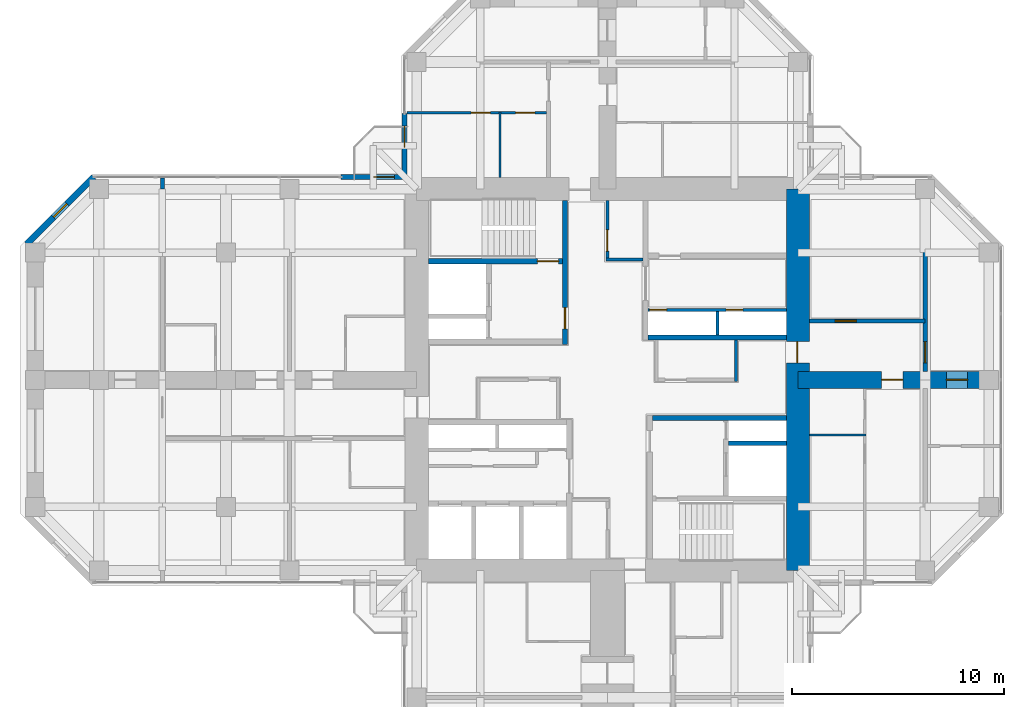
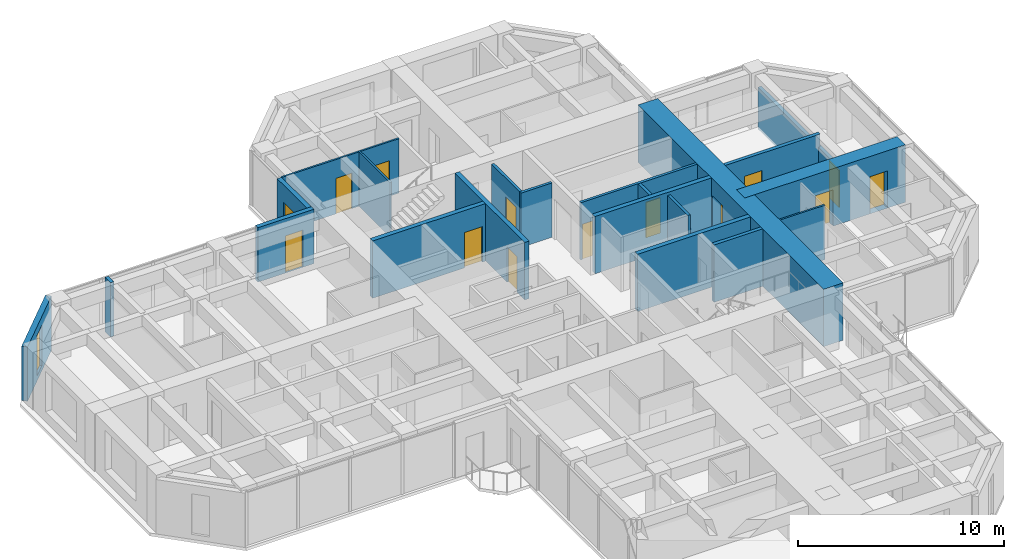
# One storey, part 11 of 14: 21 walls, 14 doors, 1 window, 15 openings.
"""IFC4 building model written with IfcOpenShell, lengths in metres."""

from ifc_helpers import new_model, si_unit, direction, frame, frame_2d, origin, place, context, subcontext, project, spatial, rectangle, hollow_rectangle, extrude, material, layer, layer_set, constituent, constituent_set, type_object, element, fill, save


model = new_model("IFC4")

# Units and contexts
model_context = context("Model", 3, precision=1e-05, world=origin(), true_north=direction((0.0, 1.0)))
body_context = subcontext(model_context, "Body", "Model", "MODEL_VIEW")
ifc_project = project(units=[si_unit("LENGTHUNIT", "METRE"), si_unit("AREAUNIT", "SQUARE_METRE"), si_unit("VOLUMEUNIT", "CUBIC_METRE"), si_unit("PLANEANGLEUNIT", "RADIAN"), si_unit("MASSUNIT", "GRAM", prefix="KILO")], contexts=[model_context])

# Site, building, storey
site_placement = place(None, origin())
site = spatial("IfcSite", under=ifc_project, at=site_placement, CompositionType="ELEMENT")
building_placement = place(site_placement, origin())
building = spatial("IfcBuilding", under=site, at=building_placement, Name="Torre Cruceta", CompositionType="ELEMENT")
storey_placement = place(building_placement, frame((0.0, 0.0, 210.300048828125)))
storey = spatial("IfcBuildingStorey", under=building, at=storey_placement, Name="L53", CompositionType="ELEMENT", Elevation=210.300048828125)

# Wall
ifc_material_1 = material(Name="Water-resistant plasterboard on steel studs", Category="steel")
ifc_layer_1 = layer(ifc_material_1, 0.10009765625)
ifc_layer_set_1 = layer_set([ifc_layer_1], Name="Water-resistant plasterboard on steel studs")
wall_type_1 = type_object("IfcWallType", Name="BATHROOM WALL 100", PredefinedType="PARTITIONING", material=ifc_layer_set_1)
wall_1_placement = place(storey_placement, frame((-5.074951171875, 9.550048828125, 0.0), z_axis=(0.0, 0.0, 1.0), x_axis=(0.0, 1.0, 0.0)))
element("IfcWall", 1, at=wall_1_placement, inside=storey, type_object=wall_type_1, Name="PT4 L53-N-U1LBB", PredefinedType="PARTITIONING", context=body_context, shape_type="SweptSolid", body=[
    extrude(rectangle(XDim=3.099853515625, YDim=0.10009765625, at=frame_2d((1.5498046875, 0.0))), origin(), (0.0, 0.0, 1.0), 3.219970703125),
])

# Wall, openings, doors
wall_2_placement = place(storey_placement, frame((-2.875, 12.60009765625, 0.0), z_axis=(0.0, 0.0, 1.0), x_axis=(-1.0, 0.0, 0.0)))
wall_2 = element("IfcWall", 2, at=wall_2_placement, inside=storey, type_object=wall_type_1, Name="PT4 L53-N-U1LBS", PredefinedType="PARTITIONING", context=body_context, shape_type="SweptSolid", body=[
    extrude(rectangle(XDim=6.570068359375, YDim=0.10009765625, at=frame_2d((3.28515625, 0.0))), origin(), (0.0, 0.0, 1.0), 3.219970703125),
])
opening_1_placement = place(wall_2_placement, frame((0.550048828125, 0.0, 0.0)))
opening_1 = element("IfcOpeningElement", 3, at=opening_1_placement, cuts=wall_2, Name="Opening D7", PredefinedType="OPENING", context=body_context, shape_type="SweptSolid", body=[
    extrude(rectangle(XDim=0.89990234375, YDim=2.10009765625, at=frame_2d((0.449951171875, 1.050048828125))), frame((0.0, 0.06005859375, 0.0), z_axis=(0.0, -1.0, 0.0), x_axis=(1.0, 0.0, 0.0)), (0.0, 0.0, 1.0), 0.1201171875),
])
opening_2_placement = place(wall_2_placement, frame((2.64990234375, 0.0, 0.0)))
opening_2 = element("IfcOpeningElement", 4, at=opening_2_placement, cuts=wall_2, Name="Opening D7", PredefinedType="OPENING", context=body_context, shape_type="SweptSolid", body=[
    extrude(rectangle(XDim=0.89990234375, YDim=2.10009765625, at=frame_2d((0.449951171875, 1.050048828125))), frame((0.0, 0.06005859375, 0.0), z_axis=(0.0, -1.0, 0.0), x_axis=(1.0, 0.0, 0.0)), (0.0, 0.0, 1.0), 0.1201171875),
])
ifc_material_2 = material(Name="Timber door", Category="wood")
door_type_1 = type_object("IfcDoorType", Name="BATHROOM DOOR 900X2100", OperationType="SINGLE_SWING_LEFT", PredefinedType="DOOR", material=ifc_material_2)
door_1_placement = place(opening_1_placement, origin())
door_1 = element("IfcDoor", 5, at=door_1_placement, inside=storey, type_object=door_type_1, Name="D7 L53-N-U1LBS-D1", OperationType="SINGLE_SWING_LEFT", OverallHeight=2.10009765625, OverallWidth=0.89990234375, PredefinedType="DOOR", context=body_context, shape_type="SweptSolid", body=[
    extrude(rectangle(XDim=0.89990234375, YDim=2.10009765625, at=frame_2d((0.449951171875, 1.050048828125))), frame((0.0, 0.02490234375, 0.0), z_axis=(0.0, -1.0, 0.0), x_axis=(1.0, 0.0, 0.0)), (0.0, 0.0, 1.0), 0.050048828125),
])
fill(opening_1, door_1)
door_2_placement = place(opening_2_placement, origin())
door_2 = element("IfcDoor", 6, at=door_2_placement, inside=storey, type_object=door_type_1, Name="D7 L53-N-U1LBS-D2", OperationType="SINGLE_SWING_LEFT", OverallHeight=2.10009765625, OverallWidth=0.89990234375, PredefinedType="DOOR", context=body_context, shape_type="SweptSolid", body=[
    extrude(rectangle(XDim=0.89990234375, YDim=2.10009765625, at=frame_2d((0.449951171875, 1.050048828125))), frame((0.0, 0.02490234375, 0.0), z_axis=(0.0, -1.0, 0.0), x_axis=(1.0, 0.0, 0.0)), (0.0, 0.0, 1.0), 0.050048828125),
])
fill(opening_2, door_2)

# Walls
wall_3_placement = place(storey_placement, frame((9.550048828125, -2.60009765625, 0.0), z_axis=(0.0, 0.0, 1.0), x_axis=(1.0, 0.0, 0.0)))
element("IfcWall", 7, at=wall_3_placement, inside=storey, type_object=wall_type_1, Name="PT4 L53-E-U1RBB", PredefinedType="PARTITIONING", context=body_context, shape_type="SweptSolid", body=[
    extrude(rectangle(XDim=2.64990234375, YDim=0.10009765625, at=frame_2d((1.324951171875, 0.0))), origin(), (0.0, 0.0, 1.0), 3.219970703125),
])
ifc_material_3 = material(Name="Concrete G60 (fck 60 MPa)", Category="concrete")
ifc_layer_2 = layer(ifc_material_3, 0.25)
ifc_layer_set_2 = layer_set([ifc_layer_2], Name="Concrete G60 (fck 60 MPa)")
wall_type_2 = type_object("IfcWallType", Name="CORE INNER WALL 250 G60", PredefinedType="SHEAR", material=ifc_layer_set_2)
wall_4_placement = place(storey_placement, frame((1.925048828125, 2.0, 0.0), z_axis=(0.0, 0.0, 1.0), x_axis=(1.0, 0.0, 0.0)))
element("IfcWall", 8, at=wall_4_placement, inside=storey, type_object=wall_type_2, Name="CW4 L53 NE-CV", PredefinedType="SHEAR", context=body_context, shape_type="SweptSolid", body=[
    extrude(rectangle(XDim=6.52490234375, YDim=0.25, at=frame_2d((3.262451171875, 0.0))), origin(), (0.0, 0.0, 1.0), 3.39990234375),
])

# Wall, opening, door
wall_5_placement = place(storey_placement, frame((-2.0, 1.675048828125, 0.0), z_axis=(0.0, 0.0, 1.0), x_axis=(0.0, 1.0, 0.0)))
wall_5 = element("IfcWall", 9, at=wall_5_placement, inside=storey, type_object=wall_type_2, Name="CW4 L53 NW-CU", PredefinedType="SHEAR", context=body_context, shape_type="SweptSolid", body=[
    extrude(rectangle(XDim=6.77490234375, YDim=0.25, at=frame_2d((3.387451171875, 0.0))), origin(), (0.0, 0.0, 1.0), 3.39990234375),
])
opening_3_placement = place(wall_5_placement, frame((0.72509765625, 0.0, 0.0)))
opening_3 = element("IfcOpeningElement", 10, at=opening_3_placement, cuts=wall_5, Name="Opening D3", PredefinedType="OPENING", context=body_context, shape_type="SweptSolid", body=[
    extrude(rectangle(XDim=1.0, YDim=2.10009765625, at=frame_2d((0.5, 1.050048828125))), frame((0.0, 0.135009765625, 0.0), z_axis=(0.0, -1.0, 0.0), x_axis=(1.0, 0.0, 0.0)), (0.0, 0.0, 1.0), 0.27001953125),
])
ifc_material_4 = material(Name="Steel DX51D", Category="steel")
ifc_constituent_1 = constituent(ifc_material_4, Name="Leaf and frame")
ifc_material_5 = material(Name="Polyester powder coating", Category="paint")
ifc_constituent_2 = constituent(ifc_material_5, Name="Finish")
ifc_constituent_set_1 = constituent_set(constituents=[ifc_constituent_1, ifc_constituent_2], Name="Steel fire door")
door_type_2 = type_object("IfcDoorType", Name="FIRE DOOR 1000X2100", OperationType="SINGLE_SWING_LEFT", PredefinedType="DOOR", material=ifc_constituent_set_1)
door_3_placement = place(opening_3_placement, origin())
door_3 = element("IfcDoor", 11, at=door_3_placement, inside=storey, type_object=door_type_2, Name="D3 L53 NW-LOBBY", OperationType="SINGLE_SWING_LEFT", OverallHeight=2.10009765625, OverallWidth=1.0, PredefinedType="DOOR", context=body_context, shape_type="SweptSolid", body=[
    extrude(rectangle(XDim=1.0, YDim=2.10009765625, at=frame_2d((0.5, 1.050048828125))), frame((0.0, 0.02490234375, 0.0), z_axis=(0.0, -1.0, 0.0), x_axis=(1.0, 0.0, 0.0)), (0.0, 0.0, 1.0), 0.050048828125),
])
fill(opening_3, door_3)

wall_6_placement = place(storey_placement, frame((-2.125, 5.60009765625, 0.0), z_axis=(0.0, 0.0, 1.0), x_axis=(-1.0, 0.0, 0.0)))
wall_6 = element("IfcWall", 12, at=wall_6_placement, inside=storey, type_object=wall_type_2, Name="CW4 L53 NW-SV", PredefinedType="SHEAR", context=body_context, shape_type="SweptSolid", body=[
    extrude(rectangle(XDim=6.324951171875, YDim=0.25, at=frame_2d((3.16259765625, 0.0))), origin(), (0.0, 0.0, 1.0), 3.39990234375),
])
opening_4_placement = place(wall_6_placement, frame((0.175048828125, 0.0, 0.0)))
opening_4 = element("IfcOpeningElement", 13, at=opening_4_placement, cuts=wall_6, Name="Opening D3", PredefinedType="OPENING", context=body_context, shape_type="SweptSolid", body=[
    extrude(rectangle(XDim=1.0, YDim=2.10009765625, at=frame_2d((0.5, 1.050048828125))), frame((0.0, 0.135009765625, 0.0), z_axis=(0.0, -1.0, 0.0), x_axis=(1.0, 0.0, 0.0)), (0.0, 0.0, 1.0), 0.27001953125),
])
door_4_placement = place(opening_4_placement, frame((1.0, 0.0, 0.0), z_axis=(0.0, 0.0, 1.0), x_axis=(-1.0, 0.0, 0.0)))
door_4 = element("IfcDoor", 14, at=door_4_placement, inside=storey, type_object=door_type_2, Name="D3 L53 NW-STAIR", OperationType="SINGLE_SWING_RIGHT", OverallHeight=2.10009765625, OverallWidth=1.0, PredefinedType="DOOR", context=body_context, shape_type="SweptSolid", body=[
    extrude(rectangle(XDim=1.0, YDim=2.10009765625, at=frame_2d((0.5, 1.050048828125))), frame((0.0, 0.025146484375, 0.0), z_axis=(0.0, -1.0, 0.0), x_axis=(1.0, 0.0, 0.0)), (0.0, 0.0, 1.0), 0.050048828125),
])
fill(opening_4, door_4)

# Wall
wall_7_placement = place(storey_placement, frame((2.125, -1.800048828125, 0.0), z_axis=(0.0, 0.0, 1.0), x_axis=(1.0, 0.0, 0.0)))
element("IfcWall", 15, at=wall_7_placement, inside=storey, type_object=wall_type_2, Name="CW4 L53 SE-CV", PredefinedType="SHEAR", context=body_context, shape_type="SweptSolid", body=[
    extrude(rectangle(XDim=6.324951171875, YDim=0.25, at=frame_2d((3.16259765625, 0.0))), origin(), (0.0, 0.0, 1.0), 3.39990234375),
])

# Wall, opening, door
ifc_material_6 = material(Name="Concrete G60 (fck 60 MPa)", Category="concrete")
ifc_layer_3 = layer(ifc_material_6, 1.10009765625)
ifc_layer_set_3 = layer_set([ifc_layer_3], Name="Concrete G60 (fck 60 MPa)")
wall_type_3 = type_object("IfcWallType", Name="CORE WALL 1100 G60", PredefinedType="SHEAR", material=ifc_layer_set_3)
wall_8_placement = place(storey_placement, frame((9.0, -9.0, 0.0), z_axis=(0.0, 0.0, 1.0), x_axis=(0.0, 1.0, 0.0)))
wall_8 = element("IfcWall", 16, at=wall_8_placement, inside=storey, type_object=wall_type_3, Name="CW2 L53 CW-E", PredefinedType="SHEAR", context=body_context, shape_type="SweptSolid", body=[
    extrude(rectangle(XDim=18.0, YDim=1.10009765625, at=frame_2d((9.0, 0.0))), origin(), (0.0, 0.0, 1.0), 3.39990234375),
])
opening_5_placement = place(wall_8_placement, frame((9.800048828125, 0.0, 0.0)))
opening_5 = element("IfcOpeningElement", 17, at=opening_5_placement, cuts=wall_8, Name="Opening D4", PredefinedType="OPENING", context=body_context, shape_type="SweptSolid", body=[
    extrude(rectangle(XDim=1.0, YDim=2.39990234375, at=frame_2d((0.5, 1.199951171875))), frame((0.0, 0.56005859375, 0.0), z_axis=(0.0, -1.0, 0.0), x_axis=(1.0, 0.0, 0.0)), (0.0, 0.0, 1.0), 1.1201171875),
])
ifc_material_7 = material(Name="Steel DX51D", Category="steel")
ifc_constituent_3 = constituent(ifc_material_7, Name="Leaf and frame")
ifc_material_8 = material(Name="Polyester powder coating", Category="paint")
ifc_constituent_4 = constituent(ifc_material_8, Name="Finish")
ifc_constituent_set_2 = constituent_set(constituents=[ifc_constituent_3, ifc_constituent_4], Name="Steel fire door")
door_type_3 = type_object("IfcDoorType", Name="CORE ARM DOOR 1000X2400", OperationType="SINGLE_SWING_RIGHT", PredefinedType="DOOR", material=ifc_constituent_set_2)
door_5_placement = place(opening_5_placement, origin())
door_5 = element("IfcDoor", 18, at=door_5_placement, inside=storey, type_object=door_type_3, Name="D4 L53 CW-E", OperationType="SINGLE_SWING_RIGHT", OverallHeight=2.39990234375, OverallWidth=1.0, PredefinedType="DOOR", context=body_context, shape_type="SweptSolid", body=[
    extrude(rectangle(XDim=1.0, YDim=2.39990234375, at=frame_2d((0.5, 1.199951171875))), frame((0.0, 0.05517578125, 0.0), z_axis=(0.0, -1.0, 0.0), x_axis=(1.0, 0.0, 0.0)), (0.0, 0.0, 1.0), 0.050048828125),
])
fill(opening_5, door_5)

ifc_material_9 = material(Name="Concrete G25 (fck 25 MPa)", Category="concrete")
ifc_layer_4 = layer(ifc_material_9, 0.199951171875)
ifc_layer_set_4 = layer_set([ifc_layer_4], Name="Concrete G25 (fck 25 MPa)")
wall_type_4 = type_object("IfcWallType", Name="CORRIDOR WALL 200", PredefinedType="SOLIDWALL", material=ifc_layer_set_4)
wall_9_placement = place(storey_placement, frame((9.550048828125, 2.77490234375, 0.0), z_axis=(0.0, 0.0, 1.0), x_axis=(1.0, 0.0, 0.0)))
wall_9 = element("IfcWall", 19, at=wall_9_placement, inside=storey, type_object=wall_type_4, Name="PT3 L53-E-CL", PredefinedType="SOLIDWALL", context=body_context, shape_type="SweptSolid", body=[
    extrude(rectangle(XDim=5.449951171875, YDim=0.199951171875, at=frame_2d((2.72509765625, 0.0))), origin(), (0.0, 0.0, 1.0), 3.219970703125),
])
opening_6_placement = place(wall_9_placement, frame((1.199951171875, 0.0, 0.0)))
opening_6 = element("IfcOpeningElement", 20, at=opening_6_placement, cuts=wall_9, Name="Opening D14", PredefinedType="OPENING", context=body_context, shape_type="SweptSolid", body=[
    extrude(rectangle(XDim=1.0, YDim=2.199951171875, at=frame_2d((0.5, 1.10009765625))), frame((0.0, 0.10986328125, 0.0), z_axis=(0.0, -1.0, 0.0), x_axis=(1.0, 0.0, 0.0)), (0.0, 0.0, 1.0), 0.219970703125),
])
ifc_material_10 = material(Name="Steel DX51D", Category="steel")
ifc_constituent_5 = constituent(ifc_material_10, Name="Leaf and frame")
ifc_material_11 = material(Name="Polyester powder coating", Category="paint")
ifc_constituent_6 = constituent(ifc_material_11, Name="Finish")
ifc_material_12 = material(Name="Fire-resisting glass", Category="glass")
ifc_constituent_7 = constituent(ifc_material_12, Name="Vision panel")
ifc_constituent_set_3 = constituent_set(constituents=[ifc_constituent_5, ifc_constituent_6, ifc_constituent_7], Name="Steel fire door with vision panel")
door_type_4 = type_object("IfcDoorType", Name="FIRE DOOR VISION PANEL 1000X2200", OperationType="SINGLE_SWING_RIGHT", PredefinedType="DOOR", material=ifc_constituent_set_3)
door_6_placement = place(opening_6_placement, origin())
door_6 = element("IfcDoor", 21, at=door_6_placement, inside=storey, type_object=door_type_4, Name="D14 L53-E-CL-D1", OperationType="SINGLE_SWING_LEFT", OverallHeight=2.199951171875, OverallWidth=1.0, PredefinedType="DOOR", context=body_context, shape_type="SweptSolid", body=[
    extrude(rectangle(XDim=1.0, YDim=2.199951171875, at=frame_2d((0.5, 1.10009765625))), frame((0.0, 0.02490234375, 0.0), z_axis=(0.0, -1.0, 0.0), x_axis=(1.0, 0.0, 0.0)), (0.0, 0.0, 1.0), 0.050048828125),
])
fill(opening_6, door_6)

# Wall, opening, window
ifc_material_13 = material(Name="Concrete G30 (fck 30 MPa)", Category="concrete")
ifc_layer_5 = layer(ifc_material_13, 0.300048828125)
ifc_layer_set_5 = layer_set([ifc_layer_5], Name="Concrete G30 (fck 30 MPa)")
wall_type_5 = type_object("IfcWallType", Name="EXPOSED CONCRETE FACADE WALL 300", PredefinedType="SOLIDWALL", material=ifc_layer_set_5)
wall_10_placement = place(storey_placement, frame((-24.236083984375, 9.570068359375, 0.0), z_axis=(0.0, 0.0, 1.0), x_axis=(-0.707079499254, -0.707134062067, 0.0)))
wall_10 = element("IfcWall", 22, at=wall_10_placement, inside=storey, type_object=wall_type_5, Name="EW1 facade wall L53 W chamfer 11", PredefinedType="SOLIDWALL", context=body_context, shape_type="SweptSolid", body=[
    extrude(rectangle(XDim=4.474609375, YDim=0.300048828125, at=frame_2d((2.2373046875, 0.0))), origin(), (0.0, 0.0, 1.0), 3.219970703125),
])
opening_7_placement = place(wall_10_placement, frame((1.787109375, 0.0, 0.300048828125)))
opening_7 = element("IfcOpeningElement", 23, at=opening_7_placement, cuts=wall_10, Name="Opening WN5", PredefinedType="OPENING", context=body_context, shape_type="SweptSolid", body=[
    extrude(rectangle(XDim=0.89990234375, YDim=2.39990234375, at=frame_2d((0.449951171875, 1.199951171875))), frame((0.0, 0.159912109375, 0.0), z_axis=(0.0, -1.0, 0.0), x_axis=(1.0, 0.0, 0.0)), (0.0, 0.0, 1.0), 0.320068359375),
])
ifc_material_14 = material(Name="Aluminium window frame", Category="aluminium")
ifc_constituent_8 = constituent(ifc_material_14, Name="Frame")
ifc_material_15 = material(Name="Laminated insulating glass unit, low-iron clear", Category="glass")
ifc_constituent_9 = constituent(ifc_material_15, Name="Glazing")
ifc_constituent_set_4 = constituent_set(constituents=[ifc_constituent_8, ifc_constituent_9], Name="Aluminium window")
window_type = type_object("IfcWindowType", Name="CHAMFER SLOT WINDOW 900X2400", PartitioningType="SINGLE_PANEL", PredefinedType="WINDOW", material=ifc_constituent_set_4)
window_placement = place(opening_7_placement, origin())
window = element("IfcWindow", 24, at=window_placement, inside=storey, type_object=window_type, Name="WN5 L53 W 1", OverallHeight=2.39990234375, OverallWidth=0.89990234375, PartitioningType="SINGLE_PANEL", PredefinedType="WINDOW", context=body_context, shape_type="SweptSolid", body=[
    extrude(hollow_rectangle(XDim=0.89990234375, YDim=2.39990234375, WallThickness=0.06005859375, at=frame_2d((0.449951171875, 1.199951171875))), frame((0.0, 0.030029296875, 0.0), z_axis=(0.0, -1.0, 0.0), x_axis=(1.0, 0.0, 0.0)), (0.0, 0.0, 1.0), 0.06005859375),
    extrude(rectangle(XDim=0.77880859375, YDim=2.27880859375, at=frame_2d((0.449951171875, 1.199951171875))), frame((0.0, 0.030029296875, 0.0), z_axis=(0.0, -1.0, 0.0), x_axis=(1.0, 0.0, 0.0)), (0.0, 0.0, 1.0), 0.06005859375),
])
fill(opening_7, window)

# Walls
ifc_material_16 = material(Name="Concrete G35 (fck 35 MPa)", Category="concrete")
ifc_layer_6 = layer(ifc_material_16, 0.199951171875)
ifc_layer_set_6 = layer_set([ifc_layer_6], Name="Concrete G35 (fck 35 MPa)")
wall_type_6 = type_object("IfcWallType", Name="LIFT SHAFT WALL 200", PredefinedType="PARTITIONING", material=ifc_layer_set_6)
wall_11_placement = place(storey_placement, frame((5.72509765625, -3.0, 0.0), z_axis=(0.0, 0.0, 1.0), x_axis=(1.0, 0.0, 0.0)))
element("IfcWall", 25, at=wall_11_placement, inside=storey, type_object=wall_type_6, Name="SW1 L53 SE-FR", PredefinedType="PARTITIONING", context=body_context, shape_type="SweptSolid", body=[
    extrude(rectangle(XDim=2.724853515625, YDim=0.199951171875, at=frame_2d((1.3623046875, 0.0))), origin(), (0.0, 0.0, 1.0), 3.39990234375),
])
ifc_material_17 = material(Name="Plasterboard on steel studs", Category="steel")
ifc_layer_7 = layer(ifc_material_17, 0.14990234375)
ifc_layer_set_7 = layer_set([ifc_layer_7], Name="Plasterboard on steel studs")
wall_type_7 = type_object("IfcWallType", Name="PARTITION 150", PredefinedType="PARTITIONING", material=ifc_layer_set_7)
wall_12_placement = place(storey_placement, frame((6.074951171875, -0.074951171875, 0.0), z_axis=(0.0, 0.0, 1.0), x_axis=(0.0, 1.0, 0.0)))
element("IfcWall", 26, at=wall_12_placement, inside=storey, type_object=wall_type_7, Name="PT1 L53-CORE-LEGE-N-W3", PredefinedType="PARTITIONING", context=body_context, shape_type="SweptSolid", body=[
    extrude(rectangle(XDim=1.949951171875, YDim=0.14990234375, at=frame_2d((0.97509765625, 0.0))), origin(), (0.0, 0.0, 1.0), 3.219970703125),
])

# Wall, opening, door
wall_13_placement = place(storey_placement, frame((0.0, 5.675048828125, 0.0), z_axis=(0.0, 0.0, 1.0), x_axis=(0.0, 1.0, 0.0)))
wall_13 = element("IfcWall", 27, at=wall_13_placement, inside=storey, type_object=wall_type_7, Name="PT1 L53-CORE-LEGN-E-W1", PredefinedType="PARTITIONING", context=body_context, shape_type="SweptSolid", body=[
    extrude(rectangle(XDim=2.77490234375, YDim=0.14990234375, at=frame_2d((1.387451171875, 0.0))), origin(), (0.0, 0.0, 1.0), 3.219970703125),
])
opening_8_placement = place(wall_13_placement, frame((0.39990234375, 0.0, 0.0)))
opening_8 = element("IfcOpeningElement", 28, at=opening_8_placement, cuts=wall_13, Name="Opening D3", PredefinedType="OPENING", context=body_context, shape_type="SweptSolid", body=[
    extrude(rectangle(XDim=1.0, YDim=2.10009765625, at=frame_2d((0.5, 1.050048828125))), frame((0.0, 0.0849609375, 0.0), z_axis=(0.0, -1.0, 0.0), x_axis=(1.0, 0.0, 0.0)), (0.0, 0.0, 1.0), 0.169921875),
])
door_7_placement = place(opening_8_placement, frame((1.0, 0.0, 0.0), z_axis=(0.0, 0.0, 1.0), x_axis=(-1.0, 0.0, 0.0)))
door_7 = element("IfcDoor", 29, at=door_7_placement, inside=storey, type_object=door_type_2, Name="D3 L53-CORE-LEGN-E-W1-D1", OperationType="SINGLE_SWING_RIGHT", OverallHeight=2.10009765625, OverallWidth=1.0, PredefinedType="DOOR", context=body_context, shape_type="SweptSolid", body=[
    extrude(rectangle(XDim=1.0, YDim=2.10009765625, at=frame_2d((0.5, 1.050048828125))), frame((0.0, 0.025146484375, 0.0), z_axis=(0.0, -1.0, 0.0), x_axis=(1.0, 0.0, 0.0)), (0.0, 0.0, 1.0), 0.050048828125),
])
fill(opening_8, door_7)

# Wall
wall_14_placement = place(storey_placement, frame((1.675048828125, 5.675048828125, 0.0), z_axis=(0.0, 0.0, 1.0), x_axis=(-1.0, 0.0, 0.0)))
element("IfcWall", 30, at=wall_14_placement, inside=storey, type_object=wall_type_7, Name="PT1 L53-CORE-LEGN-E-W2", PredefinedType="PARTITIONING", context=body_context, shape_type="SweptSolid", body=[
    extrude(rectangle(XDim=1.75, YDim=0.14990234375, at=frame_2d((0.875, 0.0))), origin(), (0.0, 0.0, 1.0), 3.219970703125),
])

# Wall, openings, doors
ifc_material_18 = material(Name="Concrete block masonry", Category="masonry")
ifc_layer_8 = layer(ifc_material_18, 0.14990234375)
ifc_layer_set_8 = layer_set([ifc_layer_8], Name="Concrete block masonry")
wall_type_8 = type_object("IfcWallType", Name="RISER WALL 150", PredefinedType="PARTITIONING", material=ifc_layer_set_8)
wall_15_placement = place(storey_placement, frame((1.925048828125, 3.300048828125, 0.0), z_axis=(0.0, 0.0, 1.0), x_axis=(1.0, 0.0, 0.0)))
wall_15 = element("IfcWall", 31, at=wall_15_placement, inside=storey, type_object=wall_type_8, Name="SW7 L53 NE-RV", PredefinedType="PARTITIONING", context=body_context, shape_type="SweptSolid", body=[
    extrude(rectangle(XDim=6.52490234375, YDim=0.14990234375, at=frame_2d((3.262451171875, 0.0))), origin(), (0.0, 0.0, 1.0), 3.39990234375),
])
opening_9_placement = place(wall_15_placement, frame((0.074951171875, 0.0, 0.0)))
opening_9 = element("IfcOpeningElement", 32, at=opening_9_placement, cuts=wall_15, Name="Opening D5", PredefinedType="OPENING", context=body_context, shape_type="SweptSolid", body=[
    extrude(rectangle(XDim=0.800048828125, YDim=2.10009765625, at=frame_2d((0.39990234375, 1.050048828125))), frame((0.0, 0.0849609375, 0.0), z_axis=(0.0, -1.0, 0.0), x_axis=(1.0, 0.0, 0.0)), (0.0, 0.0, 1.0), 0.169921875),
])
opening_10_placement = place(wall_15_placement, frame((3.675048828125, 0.0, 0.0)))
opening_10 = element("IfcOpeningElement", 33, at=opening_10_placement, cuts=wall_15, Name="Opening D5", PredefinedType="OPENING", context=body_context, shape_type="SweptSolid", body=[
    extrude(rectangle(XDim=0.800048828125, YDim=2.10009765625, at=frame_2d((0.39990234375, 1.050048828125))), frame((0.0, 0.0849609375, 0.0), z_axis=(0.0, -1.0, 0.0), x_axis=(1.0, 0.0, 0.0)), (0.0, 0.0, 1.0), 0.169921875),
])
ifc_material_19 = material(Name="Steel DX51D", Category="steel")
ifc_constituent_10 = constituent(ifc_material_19, Name="Leaf and frame")
ifc_material_20 = material(Name="Polyester powder coating", Category="paint")
ifc_constituent_11 = constituent(ifc_material_20, Name="Finish")
ifc_constituent_set_5 = constituent_set(constituents=[ifc_constituent_10, ifc_constituent_11], Name="Steel fire door")
door_type_5 = type_object("IfcDoorType", Name="RISER ACCESS DOOR 800X2100", OperationType="SINGLE_SWING_LEFT", PredefinedType="DOOR", material=ifc_constituent_set_5)
door_8_placement = place(opening_9_placement, frame((0.800048828125, 0.0, 0.0), z_axis=(0.0, 0.0, 1.0), x_axis=(-1.0, 0.0, 0.0)))
door_8 = element("IfcDoor", 34, at=door_8_placement, inside=storey, type_object=door_type_5, Name="D5 L53 NE-RISER1", OperationType="SINGLE_SWING_RIGHT", OverallHeight=2.10009765625, OverallWidth=0.800048828125, PredefinedType="DOOR", context=body_context, shape_type="SweptSolid", body=[
    extrude(rectangle(XDim=0.800048828125, YDim=2.10009765625, at=frame_2d((0.400146484375, 1.050048828125))), frame((0.0, 0.025146484375, 0.0), z_axis=(0.0, -1.0, 0.0), x_axis=(1.0, 0.0, 0.0)), (0.0, 0.0, 1.0), 0.050048828125),
])
fill(opening_9, door_8)
door_9_placement = place(opening_10_placement, frame((0.800048828125, 0.0, 0.0), z_axis=(0.0, 0.0, 1.0), x_axis=(-1.0, 0.0, 0.0)))
door_9 = element("IfcDoor", 35, at=door_9_placement, inside=storey, type_object=door_type_5, Name="D5 L53 NE-RISER2", OperationType="SINGLE_SWING_RIGHT", OverallHeight=2.10009765625, OverallWidth=0.800048828125, PredefinedType="DOOR", context=body_context, shape_type="SweptSolid", body=[
    extrude(rectangle(XDim=0.800048828125, YDim=2.10009765625, at=frame_2d((0.400146484375, 1.050048828125))), frame((0.0, 0.025146484375, 0.0), z_axis=(0.0, -1.0, 0.0), x_axis=(1.0, 0.0, 0.0)), (0.0, 0.0, 1.0), 0.050048828125),
])
fill(opening_10, door_9)

# Wall
wall_16_placement = place(storey_placement, frame((5.199951171875, 2.125, 0.0), z_axis=(0.0, 0.0, 1.0), x_axis=(0.0, 1.0, 0.0)))
element("IfcWall", 36, at=wall_16_placement, inside=storey, type_object=wall_type_8, Name="SW7 L53 NE-RU", PredefinedType="PARTITIONING", context=body_context, shape_type="SweptSolid", body=[
    extrude(rectangle(XDim=1.10009765625, YDim=0.14990234375, at=frame_2d((0.550048828125, 0.0))), origin(), (0.0, 0.0, 1.0), 3.39990234375),
])

# Wall, openings, doors
ifc_material_21 = material(Name="Concrete G60 (fck 60 MPa)", Category="concrete")
ifc_layer_9 = layer(ifc_material_21, 0.800048828125)
ifc_layer_set_9 = layer_set([ifc_layer_9], Name="Concrete G60 (fck 60 MPa)")
wall_type_9 = type_object("IfcWallType", Name="SPINE WALL 800 G60", PredefinedType="SHEAR", material=ifc_layer_set_9)
wall_17_placement = place(storey_placement, frame((9.0, 0.0, 0.0), z_axis=(0.0, 0.0, 1.0), x_axis=(1.0, 0.0, 0.0)))
wall_17 = element("IfcWall", 37, at=wall_17_placement, inside=storey, type_object=wall_type_9, Name="SW4 spine wall L53 E", PredefinedType="SHEAR", context=body_context, shape_type="SweptSolid", body=[
    extrude(rectangle(XDim=9.0, YDim=0.800048828125, at=frame_2d((4.5, 0.0))), origin(), (0.0, 0.0, 1.0), 3.39990234375),
])
opening_11_placement = place(wall_17_placement, frame((3.949951171875, 0.0, 0.0)))
opening_11 = element("IfcOpeningElement", 38, at=opening_11_placement, cuts=wall_17, Name="Opening D6", PredefinedType="OPENING", context=body_context, shape_type="SweptSolid", body=[
    extrude(rectangle(XDim=1.0, YDim=2.14990234375, at=frame_2d((0.5, 1.074951171875))), frame((0.0, 0.409912109375, 0.0), z_axis=(0.0, -1.0, 0.0), x_axis=(1.0, 0.0, 0.0)), (0.0, 0.0, 1.0), 0.820068359375),
])
opening_12_placement = place(wall_17_placement, frame((7.0, 0.0, 0.0)))
opening_12 = element("IfcOpeningElement", 39, at=opening_12_placement, cuts=wall_17, Name="Opening D14", PredefinedType="OPENING", context=body_context, shape_type="SweptSolid", body=[
    extrude(rectangle(XDim=1.0, YDim=2.199951171875, at=frame_2d((0.5, 1.10009765625))), frame((0.0, 0.409912109375, 0.0), z_axis=(0.0, -1.0, 0.0), x_axis=(1.0, 0.0, 0.0)), (0.0, 0.0, 1.0), 0.820068359375),
])
door_10_placement = place(opening_12_placement, frame((1.0, 0.0, 0.0), z_axis=(0.0, 0.0, 1.0), x_axis=(-1.0, 0.0, 0.0)))
door_10 = element("IfcDoor", 40, at=door_10_placement, inside=storey, type_object=door_type_4, Name="D14 L53-E-SP2", OperationType="SINGLE_SWING_RIGHT", OverallHeight=2.199951171875, OverallWidth=1.0, PredefinedType="DOOR", context=body_context, shape_type="SweptSolid", body=[
    extrude(rectangle(XDim=1.0, YDim=2.199951171875, at=frame_2d((0.5, 1.10009765625))), frame((0.0, 0.025146484375, 0.0), z_axis=(0.0, -1.0, 0.0), x_axis=(1.0, 0.0, 0.0)), (0.0, 0.0, 1.0), 0.050048828125),
])
fill(opening_12, door_10)
ifc_material_22 = material(Name="Timber fire door", Category="wood")
door_type_6 = type_object("IfcDoorType", Name="UNIT ENTRANCE DOOR 1000X2150", OperationType="SINGLE_SWING_LEFT", PredefinedType="DOOR", material=ifc_material_22)
door_11_placement = place(opening_11_placement, frame((1.0, 0.0, 0.0), z_axis=(0.0, 0.0, 1.0), x_axis=(-1.0, 0.0, 0.0)))
door_11 = element("IfcDoor", 41, at=door_11_placement, inside=storey, type_object=door_type_6, Name="D6 L53-E-SP1", OperationType="SINGLE_SWING_RIGHT", OverallHeight=2.14990234375, OverallWidth=1.0, PredefinedType="DOOR", context=body_context, shape_type="SweptSolid", body=[
    extrude(rectangle(XDim=1.0, YDim=2.14990234375, at=frame_2d((0.5, 1.074951171875))), frame((0.0, 0.025146484375, 0.0), z_axis=(0.0, -1.0, 0.0), x_axis=(1.0, 0.0, 0.0)), (0.0, 0.0, 1.0), 0.050048828125),
])
fill(opening_11, door_11)

# Wall, opening, door
ifc_material_23 = material(Name="Concrete G25 (fck 25 MPa)", Category="concrete")
ifc_layer_10 = layer(ifc_material_23, 0.199951171875)
ifc_layer_set_10 = layer_set([ifc_layer_10], Name="Concrete G25 (fck 25 MPa)")
wall_type_10 = type_object("IfcWallType", Name="UNIT SEPARATING WALL 200", PredefinedType="SOLIDWALL", material=ifc_layer_set_10)
wall_18_placement = place(storey_placement, frame((15.0, 0.39990234375, 0.0), z_axis=(0.0, 0.0, 1.0), x_axis=(0.0, 1.0, 0.0)))
wall_18 = element("IfcWall", 42, at=wall_18_placement, inside=storey, type_object=wall_type_10, Name="PT2 L53-E-ENDb", PredefinedType="SOLIDWALL", context=body_context, shape_type="SweptSolid", body=[
    extrude(rectangle(XDim=8.150146484375, YDim=0.199951171875, at=frame_2d((4.0751953125, 0.0))), origin(), (0.0, 0.0, 1.0), 2.469970703125),
])
opening_13_placement = place(wall_18_placement, frame((0.39990234375, 0.0, 0.0)))
opening_13 = element("IfcOpeningElement", 43, at=opening_13_placement, cuts=wall_18, Name="Opening D14", PredefinedType="OPENING", context=body_context, shape_type="SweptSolid", body=[
    extrude(rectangle(XDim=1.0, YDim=2.199951171875, at=frame_2d((0.5, 1.10009765625))), frame((0.0, 0.10986328125, 0.0), z_axis=(0.0, -1.0, 0.0), x_axis=(1.0, 0.0, 0.0)), (0.0, 0.0, 1.0), 0.219970703125),
])
door_12_placement = place(opening_13_placement, frame((1.0, 0.0, 0.0), z_axis=(0.0, 0.0, 1.0), x_axis=(-1.0, 0.0, 0.0)))
door_12 = element("IfcDoor", 44, at=door_12_placement, inside=storey, type_object=door_type_4, Name="D14 L53-E-ENDb-D1", OperationType="SINGLE_SWING_RIGHT", OverallHeight=2.199951171875, OverallWidth=1.0, PredefinedType="DOOR", context=body_context, shape_type="SweptSolid", body=[
    extrude(rectangle(XDim=1.0, YDim=2.199951171875, at=frame_2d((0.5, 1.10009765625))), frame((0.0, 0.025146484375, 0.0), z_axis=(0.0, -1.0, 0.0), x_axis=(1.0, 0.0, 0.0)), (0.0, 0.0, 1.0), 0.050048828125),
])
fill(opening_13, door_12)

# Wall
wall_19_placement = place(storey_placement, frame((-21.0, 9.530029296875, 0.0), z_axis=(0.0, 0.0, 1.0), x_axis=(0.0, -1.0, 0.0)))
element("IfcWall", 45, at=wall_19_placement, inside=storey, type_object=wall_type_10, Name="PT2 L53-W-ENDa", PredefinedType="SOLIDWALL", context=body_context, shape_type="SweptSolid", body=[
    extrude(rectangle(XDim=0.530029296875, YDim=0.199951171875, at=frame_2d((0.26513671875, 0.0))), origin(), (0.0, 0.0, 1.0), 3.219970703125),
])

# Wall, opening, door
ifc_material_24 = material(Name="Concrete G30 (fck 30 MPa)", Category="concrete")
ifc_layer_11 = layer(ifc_material_24, 0.25)
ifc_layer_set_11 = layer_set([ifc_layer_11], Name="Concrete G30 (fck 30 MPa)")
wall_type_11 = type_object("IfcWallType", Name="WINTER GARDEN WALL 250", PredefinedType="SOLIDWALL", material=ifc_layer_set_11)
wall_20_placement = place(storey_placement, frame((-9.570068359375, 12.570068359375, 0.0), z_axis=(0.0, 0.0, 1.0), x_axis=(0.0, -1.0, 0.0)))
wall_20 = element("IfcWall", 46, at=wall_20_placement, inside=storey, type_object=wall_type_11, Name="EW2 winter garden wall L53 09", PredefinedType="SOLIDWALL", context=body_context, shape_type="SweptSolid", body=[
    extrude(rectangle(XDim=2.875, YDim=0.25, at=frame_2d((1.4375, 0.0))), origin(), (0.0, 0.0, 1.0), 3.219970703125),
])
opening_14_placement = place(wall_20_placement, frame((0.60009765625, 0.0, 0.0)))
opening_14 = element("IfcOpeningElement", 47, at=opening_14_placement, cuts=wall_20, Name="Opening D10", PredefinedType="OPENING", context=body_context, shape_type="SweptSolid", body=[
    extrude(rectangle(XDim=1.0, YDim=2.199951171875, at=frame_2d((0.5, 1.10009765625))), frame((0.0, 0.135009765625, 0.0), z_axis=(0.0, -1.0, 0.0), x_axis=(1.0, 0.0, 0.0)), (0.0, 0.0, 1.0), 0.27001953125),
])
ifc_material_25 = material(Name="Aluminium door frame", Category="aluminium")
ifc_constituent_12 = constituent(ifc_material_25, Name="Frame")
ifc_material_26 = material(Name="Laminated safety glass", Category="glass")
ifc_constituent_13 = constituent(ifc_material_26, Name="Glazing")
ifc_constituent_set_6 = constituent_set(constituents=[ifc_constituent_12, ifc_constituent_13], Name="Aluminium glazed door")
door_type_7 = type_object("IfcDoorType", Name="BALCONY DOOR 1000X2200", OperationType="SINGLE_SWING_RIGHT", PredefinedType="DOOR", material=ifc_constituent_set_6)
door_13_placement = place(opening_14_placement, origin())
door_13 = element("IfcDoor", 48, at=door_13_placement, inside=storey, type_object=door_type_7, Name="D10 balcony door L53 09", OperationType="SINGLE_SWING_LEFT", OverallHeight=2.199951171875, OverallWidth=1.0, PredefinedType="DOOR", context=body_context, shape_type="SweptSolid", body=[
    extrude(hollow_rectangle(XDim=1.0, YDim=2.199951171875, WallThickness=0.06005859375, at=frame_2d((0.5, 1.10009765625))), frame((0.0, 0.02490234375, 0.0), z_axis=(0.0, -1.0, 0.0), x_axis=(1.0, 0.0, 0.0)), (0.0, 0.0, 1.0), 0.050048828125),
    extrude(rectangle(XDim=0.87890625, YDim=2.078857421875, at=frame_2d((0.5, 1.10009765625))), frame((0.0, 0.02490234375, 0.0), z_axis=(0.0, -1.0, 0.0), x_axis=(1.0, 0.0, 0.0)), (0.0, 0.0, 1.0), 0.050048828125),
])
fill(opening_14, door_13)

wall_21_placement = place(storey_placement, frame((-9.445068359375, 9.570068359375, 0.0), z_axis=(0.0, 0.0, 1.0), x_axis=(-1.0, 0.0, 0.0)))
wall_21 = element("IfcWall", 49, at=wall_21_placement, inside=storey, type_object=wall_type_11, Name="EW2 winter garden wall L53 10", PredefinedType="SOLIDWALL", context=body_context, shape_type="SweptSolid", body=[
    extrude(rectangle(XDim=3.125, YDim=0.25, at=frame_2d((1.5625, 0.0))), origin(), (0.0, 0.0, 1.0), 3.219970703125),
])
opening_15_placement = place(wall_21_placement, frame((0.60009765625, 0.0, 0.0)))
opening_15 = element("IfcOpeningElement", 50, at=opening_15_placement, cuts=wall_21, Name="Opening D10", PredefinedType="OPENING", context=body_context, shape_type="SweptSolid", body=[
    extrude(rectangle(XDim=1.0, YDim=2.199951171875, at=frame_2d((0.5, 1.10009765625))), frame((0.0, 0.135009765625, 0.0), z_axis=(0.0, -1.0, 0.0), x_axis=(1.0, 0.0, 0.0)), (0.0, 0.0, 1.0), 0.27001953125),
])
door_14_placement = place(opening_15_placement, origin())
door_14 = element("IfcDoor", 51, at=door_14_placement, inside=storey, type_object=door_type_7, Name="D10 balcony door L53 10", OperationType="SINGLE_SWING_LEFT", OverallHeight=2.199951171875, OverallWidth=1.0, PredefinedType="DOOR", context=body_context, shape_type="SweptSolid", body=[
    extrude(hollow_rectangle(XDim=1.0, YDim=2.199951171875, WallThickness=0.06005859375, at=frame_2d((0.5, 1.10009765625))), frame((0.0, 0.02490234375, 0.0), z_axis=(0.0, -1.0, 0.0), x_axis=(1.0, 0.0, 0.0)), (0.0, 0.0, 1.0), 0.050048828125),
    extrude(rectangle(XDim=0.87890625, YDim=2.078857421875, at=frame_2d((0.5, 1.10009765625))), frame((0.0, 0.02490234375, 0.0), z_axis=(0.0, -1.0, 0.0), x_axis=(1.0, 0.0, 0.0)), (0.0, 0.0, 1.0), 0.050048828125),
])
fill(opening_15, door_14)

save(model, "model.ifc")
